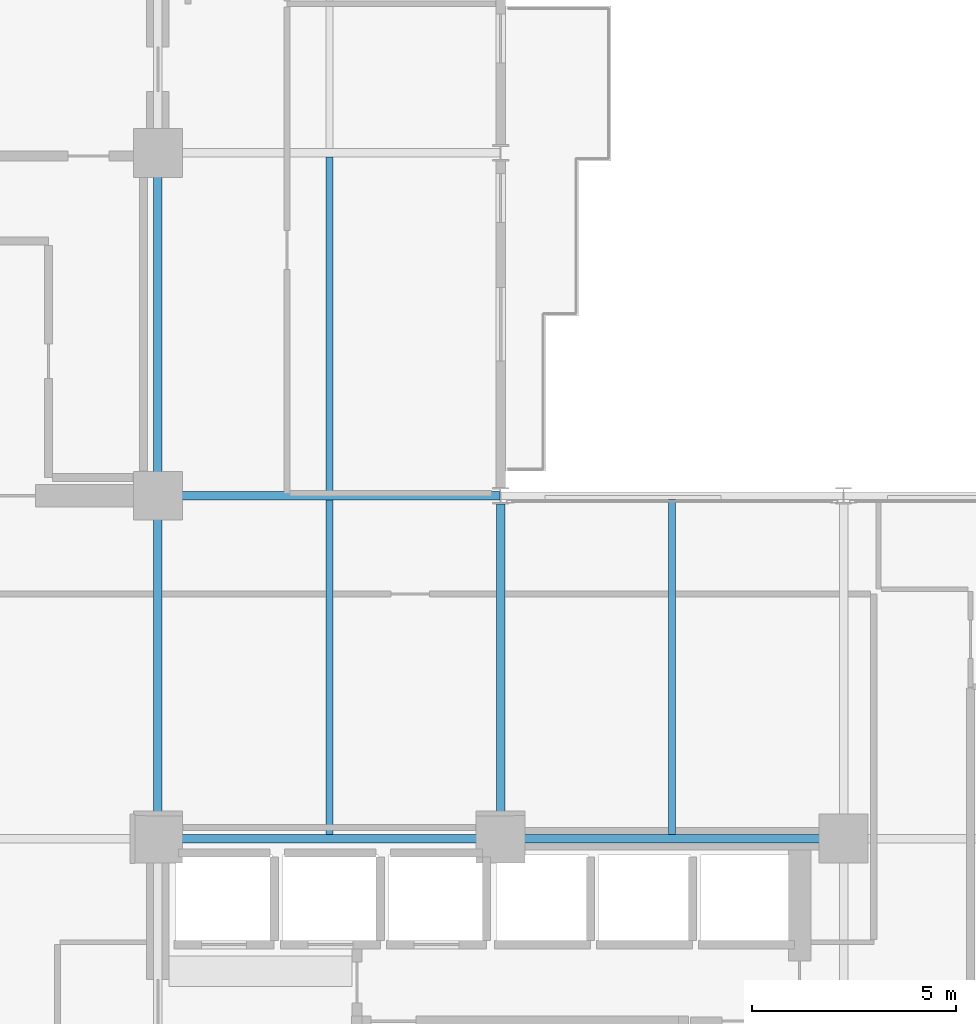
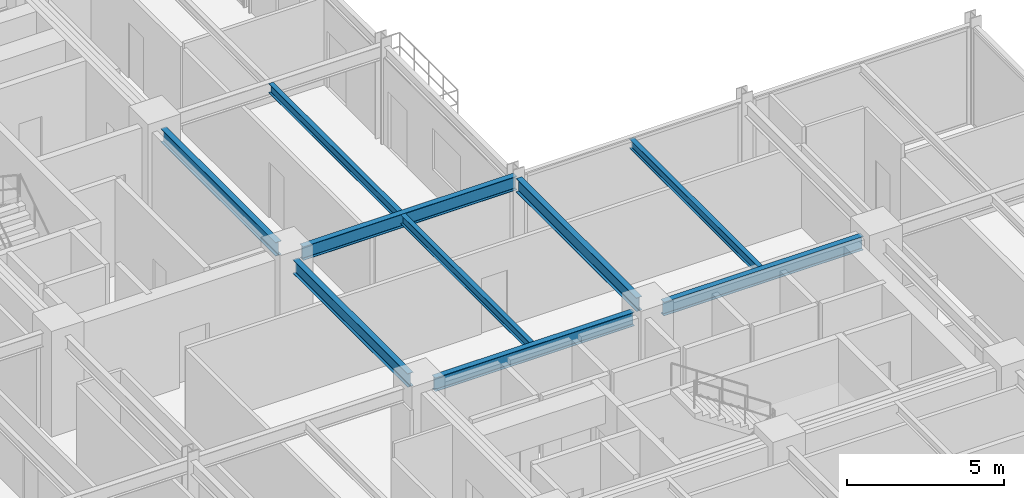
# One storey, part 11 of 29: 9 beams.
"""IFC4 building model written with IfcOpenShell, lengths in metres."""

from ifc_helpers import new_model, si_unit, direction, frame, origin, origin_2d, place, context, subcontext, project, spatial, i_section, extrude, material, material_profile, profile_set, type_object, element, save


model = new_model("IFC4")

# Units and contexts
model_context = context("Model", 3, precision=1e-05, world=origin(), true_north=direction((0.0, 1.0)))
body_context = subcontext(model_context, "Body", "Model", "MODEL_VIEW")
ifc_project = project(units=[si_unit("LENGTHUNIT", "METRE"), si_unit("AREAUNIT", "SQUARE_METRE"), si_unit("VOLUMEUNIT", "CUBIC_METRE"), si_unit("PLANEANGLEUNIT", "RADIAN"), si_unit("MASSUNIT", "GRAM", prefix="KILO")], contexts=[model_context])

# Site, building, storey
site_placement = place(None, origin())
site = spatial("IfcSite", under=ifc_project, at=site_placement, CompositionType="ELEMENT")
building_placement = place(site_placement, origin())
building = spatial("IfcBuilding", under=site, at=building_placement, Name="Nerrivon Quay Data Exchange", CompositionType="ELEMENT")
storey_placement = place(building_placement, frame((0.0, 0.0, 158.199951171875)))
storey = spatial("IfcBuildingStorey", under=building, at=storey_placement, Name="L37", CompositionType="ELEMENT", Elevation=158.199951171875)

# Beams
ifc_material = material(Name="Steel Grade 350", Category="steel")
ifc_material_profile_1 = material_profile(ifc_material, i_section(OverallWidth=0.208984375, OverallDepth=0.532958984375, WebThickness=0.01025390625, FlangeThickness=0.015625, FilletRadius=0.013916015625, at=origin_2d()), Name="530UB92.4")
ifc_profile_set_1 = profile_set([ifc_material_profile_1], Name="Steel Grade 350")
beam_type_1 = type_object("IfcBeamType", Name="BM-G3-530UB92", PredefinedType="BEAM", material=ifc_profile_set_1)
beam_1_placement = place(storey_placement, frame((17.340087890625, 16.800048828125, 3.483642578125), z_axis=(1.0, 0.0, 0.0), x_axis=(0.0, 1.0, 0.0)))
element("IfcBeam", 1, at=beam_1_placement, inside=storey, type_object=beam_type_1, Name="L37 EW Girder Y=16.8 (16.8..25.2)", PredefinedType="BEAM", context=body_context, shape_type="SweptSolid", body=[
    extrude(i_section(OverallWidth=0.208984375, OverallDepth=0.532958984375, WebThickness=0.01025390625, FlangeThickness=0.015625, FilletRadius=0.013916015625, at=origin_2d()), origin(), (0.0, 0.0, 1.0), 7.31982421875),
])
beam_2_placement = place(storey_placement, frame((25.739990234375, 16.800048828125, 3.483642578125), z_axis=(1.0, 0.0, 0.0), x_axis=(0.0, 1.0, 0.0)))
element("IfcBeam", 2, at=beam_2_placement, inside=storey, type_object=beam_type_1, Name="L37 EW Girder Y=16.8 (25.2..33.6)", PredefinedType="BEAM", context=body_context, shape_type="SweptSolid", body=[
    extrude(i_section(OverallWidth=0.208984375, OverallDepth=0.532958984375, WebThickness=0.01025390625, FlangeThickness=0.015625, FilletRadius=0.013916015625, at=origin_2d()), origin(), (0.0, 0.0, 1.0), 7.320068359375),
])
beam_3_placement = place(storey_placement, frame((17.340087890625, 25.199951171875, 3.483642578125), z_axis=(1.0, 0.0, 0.0), x_axis=(0.0, 1.0, 0.0)))
element("IfcBeam", 3, at=beam_3_placement, inside=storey, type_object=beam_type_1, Name="L37 EW Girder Y=25.2 (16.8..25.2)", PredefinedType="BEAM", context=body_context, shape_type="SweptSolid", body=[
    extrude(i_section(OverallWidth=0.208984375, OverallDepth=0.532958984375, WebThickness=0.01025390625, FlangeThickness=0.015625, FilletRadius=0.013916015625, at=origin_2d()), origin(), (0.0, 0.0, 1.0), 7.847412109375),
])
ifc_material_profile_2 = material_profile(ifc_material, i_section(OverallWidth=0.208984375, OverallDepth=0.528076171875, WebThickness=0.009521484375, FlangeThickness=0.01318359375, FilletRadius=0.013916015625, at=origin_2d()), Name="530UB82.0")
ifc_profile_set_2 = profile_set([ifc_material_profile_2], Name="Steel Grade 350")
beam_type_2 = type_object("IfcBeamType", Name="BM-G4-530UB82", PredefinedType="BEAM", material=ifc_profile_set_2)
beam_4_placement = place(storey_placement, frame((16.800048828125, 17.340087890625, 3.486083984375), z_axis=(0.0, 1.0, 0.0), x_axis=(-1.0, 0.0, 0.0)))
element("IfcBeam", 4, at=beam_4_placement, inside=storey, type_object=beam_type_2, Name="L37 NS Girder X=16.8 (16.8..25.2)", PredefinedType="BEAM", context=body_context, shape_type="SweptSolid", body=[
    extrude(i_section(OverallWidth=0.208984375, OverallDepth=0.528076171875, WebThickness=0.009521484375, FlangeThickness=0.01318359375, FilletRadius=0.013916015625, at=origin_2d()), origin(), (0.0, 0.0, 1.0), 7.31982421875),
])
beam_5_placement = place(storey_placement, frame((16.800048828125, 25.739990234375, 3.486083984375), z_axis=(0.0, 1.0, 0.0), x_axis=(-1.0, 0.0, 0.0)))
element("IfcBeam", 5, at=beam_5_placement, inside=storey, type_object=beam_type_2, Name="L37 NS Girder X=16.8 (25.2..33.6)", PredefinedType="BEAM", context=body_context, shape_type="SweptSolid", body=[
    extrude(i_section(OverallWidth=0.208984375, OverallDepth=0.528076171875, WebThickness=0.009521484375, FlangeThickness=0.01318359375, FilletRadius=0.013916015625, at=origin_2d()), origin(), (0.0, 0.0, 1.0), 7.320068359375),
])
beam_6_placement = place(storey_placement, frame((25.199951171875, 17.340087890625, 3.486083984375), z_axis=(0.0, 1.0, 0.0), x_axis=(-1.0, 0.0, 0.0)))
element("IfcBeam", 6, at=beam_6_placement, inside=storey, type_object=beam_type_2, Name="L37 NS Girder X=25.2 (16.8..25.2)", PredefinedType="BEAM", context=body_context, shape_type="SweptSolid", body=[
    extrude(i_section(OverallWidth=0.208984375, OverallDepth=0.528076171875, WebThickness=0.009521484375, FlangeThickness=0.01318359375, FilletRadius=0.013916015625, at=origin_2d()), origin(), (0.0, 0.0, 1.0), 7.659912109375),
])
ifc_material_profile_3 = material_profile(ifc_material, i_section(OverallWidth=0.1708984375, OverallDepth=0.35595703125, WebThickness=0.00732421875, FlangeThickness=0.011474609375, FilletRadius=0.011474609375, at=origin_2d()), Name="360UB50.7")
ifc_profile_set_3 = profile_set([ifc_material_profile_3], Name="Steel Grade 350")
beam_type_3 = type_object("IfcBeamType", Name="BM-J4-360UB51", PredefinedType="JOIST", material=ifc_profile_set_3)
beam_7_placement = place(storey_placement, frame((21.0, 16.904541015625, 3.572021484375), z_axis=(0.0, 1.0, 0.0), x_axis=(-1.0, 0.0, 0.0)))
element("IfcBeam", 7, at=beam_7_placement, inside=storey, type_object=beam_type_3, Name="L37 Secondary Joist X=21.0 (16.8..25.2)", PredefinedType="JOIST", context=body_context, shape_type="SweptSolid", body=[
    extrude(i_section(OverallWidth=0.1708984375, OverallDepth=0.35595703125, WebThickness=0.00732421875, FlangeThickness=0.011474609375, FilletRadius=0.011474609375, at=origin_2d()), origin(), (0.0, 0.0, 1.0), 8.19091796875),
])
beam_8_placement = place(storey_placement, frame((21.0, 25.304443359375, 3.572021484375), z_axis=(0.0, 1.0, 0.0), x_axis=(-1.0, 0.0, 0.0)))
element("IfcBeam", 8, at=beam_8_placement, inside=storey, type_object=beam_type_3, Name="L37 Secondary Joist X=21.0 (25.2..33.6)", PredefinedType="JOIST", context=body_context, shape_type="SweptSolid", body=[
    extrude(i_section(OverallWidth=0.1708984375, OverallDepth=0.35595703125, WebThickness=0.00732421875, FlangeThickness=0.011474609375, FilletRadius=0.011474609375, at=origin_2d()), origin(), (0.0, 0.0, 1.0), 8.191162109375),
])
beam_9_placement = place(storey_placement, frame((29.39990234375, 16.904541015625, 3.572021484375), z_axis=(0.0, 1.0, 0.0), x_axis=(-1.0, 0.0, 0.0)))
element("IfcBeam", 9, at=beam_9_placement, inside=storey, type_object=beam_type_3, Name="L37 Secondary Joist X=29.4 (16.8..25.2)", PredefinedType="JOIST", context=body_context, shape_type="SweptSolid", body=[
    extrude(i_section(OverallWidth=0.1708984375, OverallDepth=0.35595703125, WebThickness=0.00732421875, FlangeThickness=0.011474609375, FilletRadius=0.011474609375, at=origin_2d()), origin(), (0.0, 0.0, 1.0), 8.20654296875),
])

save(model, "model.ifc")
